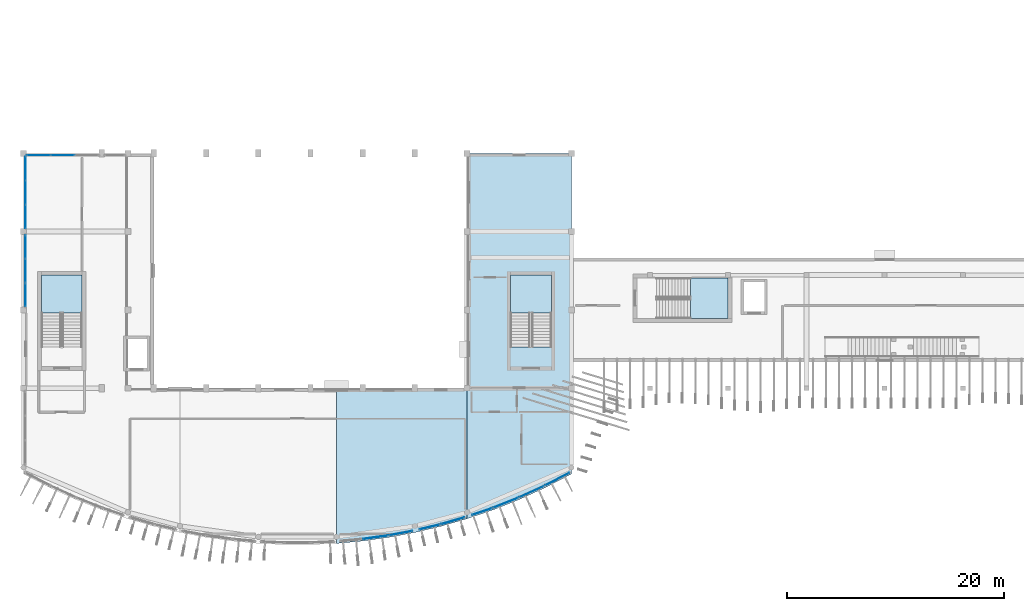
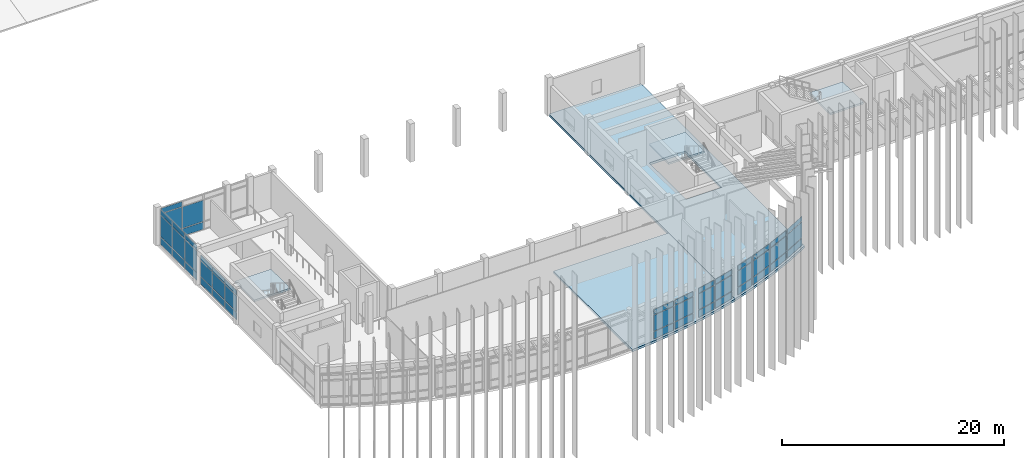
# One storey, part 25 of 47: 47 plates, 5 slabs, 14 elements without a shape of their own.
"""IFC4 building model written with IfcOpenShell, lengths in metres."""

from ifc_helpers import new_model, si_unit, direction, frame, origin, origin_2d, place, context, subcontext, project, spatial, polyline, rectangle, outline, extrude, material, layer, layer_set, type_object, element, aggregate, save


model = new_model("IFC4")

# Units and contexts
model_context = context("Model", 3, precision=1e-05, world=origin(), true_north=direction((0.0, 1.0)))
body_context = subcontext(model_context, "Body", "Model", "MODEL_VIEW")
ifc_project = project(units=[si_unit("LENGTHUNIT", "METRE"), si_unit("AREAUNIT", "SQUARE_METRE"), si_unit("VOLUMEUNIT", "CUBIC_METRE"), si_unit("PLANEANGLEUNIT", "RADIAN"), si_unit("MASSUNIT", "GRAM", prefix="KILO")], contexts=[model_context])

# Site, building, storey
site_placement = place(None, origin())
site = spatial("IfcSite", under=ifc_project, at=site_placement, CompositionType="ELEMENT")
building_placement = place(site_placement, origin())
building = spatial("IfcBuilding", under=site, at=building_placement, Name="Brisavento Harbour Community Centre", CompositionType="ELEMENT")
storey_placement = place(building_placement, frame((0.0, 0.0, 8.699951171875)))
storey = spatial("IfcBuildingStorey", under=building, at=storey_placement, Name="L02", CompositionType="ELEMENT", Elevation=8.699951171875)

# Curtain wall, plates
ifc_material_1 = material(Name="Marine-anodised aluminium AW-6063-T6", Category="aluminium")
ifc_layer_1 = layer(ifc_material_1, 0.179931640625, Name="Marine-anodised aluminium AW-6063-T6")
ifc_layer_set_1 = layer_set([ifc_layer_1], Name="Marine-anodised aluminium AW-6063-T6")
curtain_wall_type_1 = type_object("IfcCurtainWallType", Name="CW-SYS-22", PredefinedType="USERDEFINED", material=ifc_layer_set_1)
curtain_wall_1_placement = place(storey_placement, origin())
curtain_wall_1 = element("IfcCurtainWall", 1, at=curtain_wall_1_placement, inside=storey, type_object=curtain_wall_type_1, Name="L02 V1 unitised curtain wall 106", ObjectType="UNITISED CURTAIN WALL", PredefinedType="USERDEFINED")
ifc_material_2 = material(Name="Solar-control laminated low-E glass", Category="glass")
ifc_layer_2 = layer(ifc_material_2, 0.02392578125, Name="Solar-control laminated low-E glass")
ifc_layer_set_2 = layer_set([ifc_layer_2], Name="Solar-control laminated low-E glass")
plate_type_1 = type_object("IfcPlateType", Name="CWP-GLZ-1", PredefinedType="CURTAIN_PANEL", material=ifc_layer_set_2)
plate_1_placement = place(storey_placement, frame((34.694091796875, 1.07177734375, 0.070068359375), z_axis=(0.0, 0.0, 1.0), x_axis=(-0.982796895513, -0.184689637418, 0.0)))
plate_1 = element("IfcPlate", 2, at=plate_1_placement, type_object=plate_type_1, Name="CW-22 panel 1.1", PredefinedType="CURTAIN_PANEL", context=body_context, shape_type="SweptSolid", body=[
    extrude(rectangle(XDim=2.117919921875, YDim=0.02392578125, at=origin_2d()), origin(), (0.0, 0.0, 1.0), 0.794921875),
])
plate_2_placement = place(storey_placement, frame((34.694091796875, 1.07177734375, 0.93505859375), z_axis=(0.0, 0.0, 1.0), x_axis=(-0.982796895513, -0.184689637418, 0.0)))
plate_2 = element("IfcPlate", 3, at=plate_2_placement, type_object=plate_type_1, Name="CW-22 panel 1.2", PredefinedType="CURTAIN_PANEL", context=body_context, shape_type="SweptSolid", body=[
    extrude(rectangle(XDim=2.117919921875, YDim=0.02392578125, at=origin_2d()), origin(), (0.0, 0.0, 1.0), 1.739990234375),
])
plate_3_placement = place(storey_placement, frame((34.694091796875, 1.07177734375, 2.7451171875), z_axis=(0.0, 0.0, 1.0), x_axis=(-0.982796895513, -0.184689637418, 0.0)))
plate_3 = element("IfcPlate", 4, at=plate_3_placement, type_object=plate_type_1, Name="CW-22 panel 1.3", PredefinedType="CURTAIN_PANEL", context=body_context, shape_type="SweptSolid", body=[
    extrude(rectangle(XDim=2.117919921875, YDim=0.02392578125, at=origin_2d()), origin(), (0.0, 0.0, 1.0), 0.544921875),
])
aggregate(curtain_wall_1, [plate_1, plate_2, plate_3])

ifc_layer_3 = layer(ifc_material_1, 0.179931640625, Name="Marine-anodised aluminium AW-6063-T6")
ifc_layer_set_3 = layer_set([ifc_layer_3], Name="Marine-anodised aluminium AW-6063-T6")
curtain_wall_type_2 = type_object("IfcCurtainWallType", Name="CW-SYS-27", PredefinedType="USERDEFINED", material=ifc_layer_set_3)
curtain_wall_2_placement = place(storey_placement, origin())
curtain_wall_2 = element("IfcCurtainWall", 5, at=curtain_wall_2_placement, inside=storey, type_object=curtain_wall_type_2, Name="L02 V1 unitised curtain wall 111", ObjectType="UNITISED CURTAIN WALL", PredefinedType="USERDEFINED")
plate_4_placement = place(storey_placement, frame((46.72509765625, 4.880615234375, 0.074951171875), z_axis=(0.0, 0.0, 1.0), x_axis=(-0.909597727846, -0.415490040189, 0.0)))
plate_4 = element("IfcPlate", 6, at=plate_4_placement, type_object=plate_type_1, Name="CW-27 panel 1.1", PredefinedType="CURTAIN_PANEL", context=body_context, shape_type="SweptSolid", body=[
    extrude(rectangle(XDim=2.452392578125, YDim=0.02392578125, at=origin_2d()), origin(), (0.0, 0.0, 1.0), 0.78759765625),
])
plate_5_placement = place(storey_placement, frame((46.72509765625, 4.880615234375, 0.9375), z_axis=(0.0, 0.0, 1.0), x_axis=(-0.909597727846, -0.415490040189, 0.0)))
plate_5 = element("IfcPlate", 7, at=plate_5_placement, type_object=plate_type_1, Name="CW-27 panel 1.2", PredefinedType="CURTAIN_PANEL", context=body_context, shape_type="SweptSolid", body=[
    extrude(rectangle(XDim=2.452392578125, YDim=0.02392578125, at=origin_2d()), origin(), (0.0, 0.0, 1.0), 1.735107421875),
])
plate_6_placement = place(storey_placement, frame((46.72509765625, 4.880615234375, 2.74755859375), z_axis=(0.0, 0.0, 1.0), x_axis=(-0.909597727846, -0.415490040189, 0.0)))
plate_6 = element("IfcPlate", 8, at=plate_6_placement, type_object=plate_type_1, Name="CW-27 panel 1.3", PredefinedType="CURTAIN_PANEL", context=body_context, shape_type="SweptSolid", body=[
    extrude(rectangle(XDim=2.452392578125, YDim=0.02392578125, at=origin_2d()), origin(), (0.0, 0.0, 1.0), 0.53759765625),
])
aggregate(curtain_wall_2, [plate_4, plate_5, plate_6])

ifc_layer_4 = layer(ifc_material_1, 0.179931640625, Name="Marine-anodised aluminium AW-6063-T6")
ifc_layer_set_4 = layer_set([ifc_layer_4], Name="Marine-anodised aluminium AW-6063-T6")
curtain_wall_type_3 = type_object("IfcCurtainWallType", Name="CW-SYS-04", PredefinedType="USERDEFINED", material=ifc_layer_set_4)
curtain_wall_3_placement = place(storey_placement, origin())
curtain_wall_3 = element("IfcCurtainWall", 9, at=curtain_wall_3_placement, inside=storey, type_object=curtain_wall_type_3, Name="L02 V1 unitised curtain wall 116", ObjectType="UNITISED CURTAIN WALL", PredefinedType="USERDEFINED")
plate_7_placement = place(storey_placement, frame((0.179931640625, 22.993408203125, 0.080078125), z_axis=(0.0, 0.0, 1.0), x_axis=(0.0, 1.0, 0.0)))
plate_7 = element("IfcPlate", 10, at=plate_7_placement, type_object=plate_type_1, Name="CW-04 panel 1.1", PredefinedType="CURTAIN_PANEL", context=body_context, shape_type="SweptSolid", body=[
    extrude(rectangle(XDim=2.106689453125, YDim=0.02392578125, at=origin_2d()), origin(), (0.0, 0.0, 1.0), 0.780029296875),
])
plate_8_placement = place(storey_placement, frame((0.179931640625, 22.993408203125, 0.93994140625), z_axis=(0.0, 0.0, 1.0), x_axis=(0.0, 1.0, 0.0)))
plate_8 = element("IfcPlate", 11, at=plate_8_placement, type_object=plate_type_1, Name="CW-04 panel 1.2", PredefinedType="CURTAIN_PANEL", context=body_context, shape_type="SweptSolid", body=[
    extrude(rectangle(XDim=2.106689453125, YDim=0.02392578125, at=origin_2d()), origin(), (0.0, 0.0, 1.0), 1.72998046875),
])
plate_9_placement = place(storey_placement, frame((0.179931640625, 22.993408203125, 2.75), z_axis=(0.0, 0.0, 1.0), x_axis=(0.0, 1.0, 0.0)))
plate_9 = element("IfcPlate", 12, at=plate_9_placement, type_object=plate_type_1, Name="CW-04 panel 1.3", PredefinedType="CURTAIN_PANEL", context=body_context, shape_type="SweptSolid", body=[
    extrude(rectangle(XDim=2.106689453125, YDim=0.02392578125, at=origin_2d()), origin(), (0.0, 0.0, 1.0), 0.530029296875),
])
plate_10_placement = place(storey_placement, frame((0.179931640625, 25.199951171875, 0.080078125), z_axis=(0.0, 0.0, 1.0), x_axis=(0.0, 1.0, 0.0)))
plate_10 = element("IfcPlate", 13, at=plate_10_placement, type_object=plate_type_1, Name="CW-04 panel 2.1", PredefinedType="CURTAIN_PANEL", context=body_context, shape_type="SweptSolid", body=[
    extrude(rectangle(XDim=2.146728515625, YDim=0.02392578125, at=origin_2d()), origin(), (0.0, 0.0, 1.0), 0.780029296875),
])
plate_11_placement = place(storey_placement, frame((0.179931640625, 25.199951171875, 0.93994140625), z_axis=(0.0, 0.0, 1.0), x_axis=(0.0, 1.0, 0.0)))
plate_11 = element("IfcPlate", 14, at=plate_11_placement, type_object=plate_type_1, Name="CW-04 panel 2.2", PredefinedType="CURTAIN_PANEL", context=body_context, shape_type="SweptSolid", body=[
    extrude(rectangle(XDim=2.146728515625, YDim=0.02392578125, at=origin_2d()), origin(), (0.0, 0.0, 1.0), 1.72998046875),
])
plate_12_placement = place(storey_placement, frame((0.179931640625, 25.199951171875, 2.75), z_axis=(0.0, 0.0, 1.0), x_axis=(0.0, 1.0, 0.0)))
plate_12 = element("IfcPlate", 15, at=plate_12_placement, type_object=plate_type_1, Name="CW-04 panel 2.3", PredefinedType="CURTAIN_PANEL", context=body_context, shape_type="SweptSolid", body=[
    extrude(rectangle(XDim=2.146728515625, YDim=0.02392578125, at=origin_2d()), origin(), (0.0, 0.0, 1.0), 0.530029296875),
])
plate_13_placement = place(storey_placement, frame((0.179931640625, 27.40673828125, 0.080078125), z_axis=(0.0, 0.0, 1.0), x_axis=(0.0, 1.0, 0.0)))
plate_13 = element("IfcPlate", 16, at=plate_13_placement, type_object=plate_type_1, Name="CW-04 panel 3.1", PredefinedType="CURTAIN_PANEL", context=body_context, shape_type="SweptSolid", body=[
    extrude(rectangle(XDim=2.106689453125, YDim=0.02392578125, at=origin_2d()), origin(), (0.0, 0.0, 1.0), 0.780029296875),
])
plate_14_placement = place(storey_placement, frame((0.179931640625, 27.40673828125, 0.93994140625), z_axis=(0.0, 0.0, 1.0), x_axis=(0.0, 1.0, 0.0)))
plate_14 = element("IfcPlate", 17, at=plate_14_placement, type_object=plate_type_1, Name="CW-04 panel 3.2", PredefinedType="CURTAIN_PANEL", context=body_context, shape_type="SweptSolid", body=[
    extrude(rectangle(XDim=2.106689453125, YDim=0.02392578125, at=origin_2d()), origin(), (0.0, 0.0, 1.0), 1.72998046875),
])
plate_15_placement = place(storey_placement, frame((0.179931640625, 27.40673828125, 2.75), z_axis=(0.0, 0.0, 1.0), x_axis=(0.0, 1.0, 0.0)))
plate_15 = element("IfcPlate", 18, at=plate_15_placement, type_object=plate_type_1, Name="CW-04 panel 3.3", PredefinedType="CURTAIN_PANEL", context=body_context, shape_type="SweptSolid", body=[
    extrude(rectangle(XDim=2.106689453125, YDim=0.02392578125, at=origin_2d()), origin(), (0.0, 0.0, 1.0), 0.530029296875),
])
aggregate(curtain_wall_3, [plate_7, plate_8, plate_9, plate_10, plate_11, plate_12, plate_13, plate_14, plate_15])

ifc_layer_5 = layer(ifc_material_1, 0.179931640625, Name="Marine-anodised aluminium AW-6063-T6")
ifc_layer_set_5 = layer_set([ifc_layer_5], Name="Marine-anodised aluminium AW-6063-T6")
curtain_wall_type_4 = type_object("IfcCurtainWallType", Name="CW-SYS-23", PredefinedType="USERDEFINED", material=ifc_layer_set_5)
curtain_wall_4_placement = place(storey_placement, origin())
curtain_wall_4 = element("IfcCurtainWall", 19, at=curtain_wall_4_placement, inside=storey, type_object=curtain_wall_type_4, Name="L02 V1 unitised curtain wall 107", ObjectType="UNITISED CURTAIN WALL", PredefinedType="USERDEFINED")
ifc_layer_6 = layer(ifc_material_2, 0.028076171875, Name="Solar-control laminated low-E glass")
ifc_layer_set_6 = layer_set([ifc_layer_6], Name="Solar-control laminated low-E glass")
plate_type_2 = type_object("IfcPlateType", Name="CWP-GLZ-2", PredefinedType="CURTAIN_PANEL", material=ifc_layer_set_6)
plate_16_placement = place(storey_placement, frame((37.356201171875, 1.640625, 0.074951171875), z_axis=(0.0, 0.0, 1.0), x_axis=(-0.972998297489, -0.230812289714, 0.0)))
plate_16 = element("IfcPlate", 20, at=plate_16_placement, type_object=plate_type_2, Name="CW-23 panel 1.1", PredefinedType="CURTAIN_PANEL", context=body_context, shape_type="SweptSolid", body=[
    extrude(rectangle(XDim=1.874267578125, YDim=0.028076171875, at=origin_2d()), origin(), (0.0, 0.0, 1.0), 0.78759765625),
])
plate_17_placement = place(storey_placement, frame((37.356201171875, 1.640625, 0.9375), z_axis=(0.0, 0.0, 1.0), x_axis=(-0.972998297489, -0.230812289714, 0.0)))
plate_17 = element("IfcPlate", 21, at=plate_17_placement, type_object=plate_type_2, Name="CW-23 panel 1.2", PredefinedType="CURTAIN_PANEL", context=body_context, shape_type="SweptSolid", body=[
    extrude(rectangle(XDim=1.874267578125, YDim=0.028076171875, at=origin_2d()), origin(), (0.0, 0.0, 1.0), 1.735107421875),
])
plate_18_placement = place(storey_placement, frame((37.356201171875, 1.640625, 2.74755859375), z_axis=(0.0, 0.0, 1.0), x_axis=(-0.972998297489, -0.230812289714, 0.0)))
plate_18 = element("IfcPlate", 22, at=plate_18_placement, type_object=plate_type_2, Name="CW-23 panel 1.3", PredefinedType="CURTAIN_PANEL", context=body_context, shape_type="SweptSolid", body=[
    extrude(rectangle(XDim=1.874267578125, YDim=0.028076171875, at=origin_2d()), origin(), (0.0, 0.0, 1.0), 0.53759765625),
])
aggregate(curtain_wall_4, [plate_16, plate_17, plate_18])

ifc_layer_7 = layer(ifc_material_1, 0.179931640625, Name="Marine-anodised aluminium AW-6063-T6")
ifc_layer_set_7 = layer_set([ifc_layer_7], Name="Marine-anodised aluminium AW-6063-T6")
curtain_wall_type_5 = type_object("IfcCurtainWallType", Name="CW-SYS-28", PredefinedType="USERDEFINED", material=ifc_layer_set_7)
curtain_wall_5_placement = place(storey_placement, origin())
curtain_wall_5 = element("IfcCurtainWall", 23, at=curtain_wall_5_placement, inside=storey, type_object=curtain_wall_type_5, Name="L02 V1 unitised curtain wall 112", ObjectType="UNITISED CURTAIN WALL", PredefinedType="USERDEFINED")
plate_19_placement = place(storey_placement, frame((49.104736328125, 6.04296875, 0.080078125), z_axis=(0.0, 0.0, 1.0), x_axis=(-0.887019684969, -0.461731608705, 0.0)))
plate_19 = element("IfcPlate", 24, at=plate_19_placement, type_object=plate_type_2, Name="CW-28 panel 1.1", PredefinedType="CURTAIN_PANEL", context=body_context, shape_type="SweptSolid", body=[
    extrude(rectangle(XDim=2.482421875, YDim=0.028076171875, at=origin_2d()), origin(), (0.0, 0.0, 1.0), 0.780029296875),
])
plate_20_placement = place(storey_placement, frame((49.104736328125, 6.04296875, 0.93994140625), z_axis=(0.0, 0.0, 1.0), x_axis=(-0.887019684969, -0.461731608705, 0.0)))
plate_20 = element("IfcPlate", 25, at=plate_20_placement, type_object=plate_type_2, Name="CW-28 panel 1.2", PredefinedType="CURTAIN_PANEL", context=body_context, shape_type="SweptSolid", body=[
    extrude(rectangle(XDim=2.482421875, YDim=0.028076171875, at=origin_2d()), origin(), (0.0, 0.0, 1.0), 1.72998046875),
])
plate_21_placement = place(storey_placement, frame((49.104736328125, 6.04296875, 2.75), z_axis=(0.0, 0.0, 1.0), x_axis=(-0.887019684969, -0.461731608705, 0.0)))
plate_21 = element("IfcPlate", 26, at=plate_21_placement, type_object=plate_type_2, Name="CW-28 panel 1.3", PredefinedType="CURTAIN_PANEL", context=body_context, shape_type="SweptSolid", body=[
    extrude(rectangle(XDim=2.482421875, YDim=0.028076171875, at=origin_2d()), origin(), (0.0, 0.0, 1.0), 0.530029296875),
])
aggregate(curtain_wall_5, [plate_19, plate_20, plate_21])

ifc_layer_8 = layer(ifc_material_1, 0.179931640625, Name="Marine-anodised aluminium AW-6063-T6")
ifc_layer_set_8 = layer_set([ifc_layer_8], Name="Marine-anodised aluminium AW-6063-T6")
curtain_wall_type_6 = type_object("IfcCurtainWallType", Name="CW-SYS-05", PredefinedType="USERDEFINED", material=ifc_layer_set_8)
curtain_wall_6_placement = place(storey_placement, origin())
curtain_wall_6 = element("IfcCurtainWall", 27, at=curtain_wall_6_placement, inside=storey, type_object=curtain_wall_type_6, Name="L02 V1 unitised curtain wall 117", ObjectType="UNITISED CURTAIN WALL", PredefinedType="USERDEFINED")
plate_22_placement = place(storey_placement, frame((0.179931640625, 30.189697265625, 0.06494140625), z_axis=(0.0, 0.0, 1.0), x_axis=(0.0, 1.0, 0.0)))
plate_22 = element("IfcPlate", 28, at=plate_22_placement, type_object=plate_type_2, Name="CW-05 panel 1.1", PredefinedType="CURTAIN_PANEL", context=body_context, shape_type="SweptSolid", body=[
    extrude(rectangle(XDim=2.129150390625, YDim=0.028076171875, at=origin_2d()), origin(), (0.0, 0.0, 1.0), 0.802490234375),
])
plate_23_placement = place(storey_placement, frame((0.179931640625, 30.189697265625, 0.9326171875), z_axis=(0.0, 0.0, 1.0), x_axis=(0.0, 1.0, 0.0)))
plate_23 = element("IfcPlate", 29, at=plate_23_placement, type_object=plate_type_2, Name="CW-05 panel 1.2", PredefinedType="CURTAIN_PANEL", context=body_context, shape_type="SweptSolid", body=[
    extrude(rectangle(XDim=2.129150390625, YDim=0.028076171875, at=origin_2d()), origin(), (0.0, 0.0, 1.0), 2.344970703125),
])
plate_24_placement = place(storey_placement, frame((0.179931640625, 30.189697265625, 3.3427734375), z_axis=(0.0, 0.0, 1.0), x_axis=(0.0, 1.0, 0.0)))
plate_24 = element("IfcPlate", 30, at=plate_24_placement, type_object=plate_type_2, Name="CW-05 panel 1.3", PredefinedType="CURTAIN_PANEL", context=body_context, shape_type="SweptSolid", body=[
    extrude(rectangle(XDim=2.129150390625, YDim=0.028076171875, at=origin_2d()), origin(), (0.0, 0.0, 1.0), 0.552490234375),
])
plate_25_placement = place(storey_placement, frame((0.179931640625, 32.39990234375, 0.06494140625), z_axis=(0.0, 0.0, 1.0), x_axis=(0.0, 1.0, 0.0)))
plate_25 = element("IfcPlate", 31, at=plate_25_placement, type_object=plate_type_2, Name="CW-05 panel 2.1", PredefinedType="CURTAIN_PANEL", context=body_context, shape_type="SweptSolid", body=[
    extrude(rectangle(XDim=2.16162109375, YDim=0.028076171875, at=origin_2d()), origin(), (0.0, 0.0, 1.0), 0.802490234375),
])
plate_26_placement = place(storey_placement, frame((0.179931640625, 32.39990234375, 0.9326171875), z_axis=(0.0, 0.0, 1.0), x_axis=(0.0, 1.0, 0.0)))
plate_26 = element("IfcPlate", 32, at=plate_26_placement, type_object=plate_type_2, Name="CW-05 panel 2.2", PredefinedType="CURTAIN_PANEL", context=body_context, shape_type="SweptSolid", body=[
    extrude(rectangle(XDim=2.16162109375, YDim=0.028076171875, at=origin_2d()), origin(), (0.0, 0.0, 1.0), 2.344970703125),
])
plate_27_placement = place(storey_placement, frame((0.179931640625, 32.39990234375, 3.3427734375), z_axis=(0.0, 0.0, 1.0), x_axis=(0.0, 1.0, 0.0)))
plate_27 = element("IfcPlate", 33, at=plate_27_placement, type_object=plate_type_2, Name="CW-05 panel 2.3", PredefinedType="CURTAIN_PANEL", context=body_context, shape_type="SweptSolid", body=[
    extrude(rectangle(XDim=2.16162109375, YDim=0.028076171875, at=origin_2d()), origin(), (0.0, 0.0, 1.0), 0.552490234375),
])
plate_28_placement = place(storey_placement, frame((0.179931640625, 34.6103515625, 0.06494140625), z_axis=(0.0, 0.0, 1.0), x_axis=(0.0, 1.0, 0.0)))
plate_28 = element("IfcPlate", 34, at=plate_28_placement, type_object=plate_type_2, Name="CW-05 panel 3.1", PredefinedType="CURTAIN_PANEL", context=body_context, shape_type="SweptSolid", body=[
    extrude(rectangle(XDim=2.129150390625, YDim=0.028076171875, at=origin_2d()), origin(), (0.0, 0.0, 1.0), 0.802490234375),
])
plate_29_placement = place(storey_placement, frame((0.179931640625, 34.6103515625, 0.9326171875), z_axis=(0.0, 0.0, 1.0), x_axis=(0.0, 1.0, 0.0)))
plate_29 = element("IfcPlate", 35, at=plate_29_placement, type_object=plate_type_2, Name="CW-05 panel 3.2", PredefinedType="CURTAIN_PANEL", context=body_context, shape_type="SweptSolid", body=[
    extrude(rectangle(XDim=2.129150390625, YDim=0.028076171875, at=origin_2d()), origin(), (0.0, 0.0, 1.0), 2.344970703125),
])
plate_30_placement = place(storey_placement, frame((0.179931640625, 34.6103515625, 3.3427734375), z_axis=(0.0, 0.0, 1.0), x_axis=(0.0, 1.0, 0.0)))
plate_30 = element("IfcPlate", 36, at=plate_30_placement, type_object=plate_type_2, Name="CW-05 panel 3.3", PredefinedType="CURTAIN_PANEL", context=body_context, shape_type="SweptSolid", body=[
    extrude(rectangle(XDim=2.129150390625, YDim=0.028076171875, at=origin_2d()), origin(), (0.0, 0.0, 1.0), 0.552490234375),
])
aggregate(curtain_wall_6, [plate_22, plate_23, plate_24, plate_25, plate_26, plate_27, plate_28, plate_29, plate_30])

ifc_layer_9 = layer(ifc_material_1, 0.179931640625, Name="Marine-anodised aluminium AW-6063-T6")
ifc_layer_set_9 = layer_set([ifc_layer_9], Name="Marine-anodised aluminium AW-6063-T6")
curtain_wall_type_7 = type_object("IfcCurtainWallType", Name="CW-SYS-24", PredefinedType="USERDEFINED", material=ifc_layer_set_9)
curtain_wall_7_placement = place(storey_placement, origin())
curtain_wall_7 = element("IfcCurtainWall", 37, at=curtain_wall_7_placement, inside=storey, type_object=curtain_wall_type_7, Name="L02 V1 unitised curtain wall 108", ObjectType="UNITISED CURTAIN WALL", PredefinedType="USERDEFINED")
ifc_layer_10 = layer(ifc_material_2, 0.031982421875, Name="Solar-control laminated low-E glass")
ifc_layer_set_10 = layer_set([ifc_layer_10], Name="Solar-control laminated low-E glass")
plate_type_3 = type_object("IfcPlateType", Name="CWP-GLZ-3", PredefinedType="CURTAIN_PANEL", material=ifc_layer_set_10)
plate_31_placement = place(storey_placement, frame((39.4970703125, 2.206787109375, 0.080078125), z_axis=(0.0, 0.0, 1.0), x_axis=(-0.960866482785, -0.277011917183, 0.0)))
plate_31 = element("IfcPlate", 38, at=plate_31_placement, type_object=plate_type_3, Name="CW-24 panel 1.1", PredefinedType="CURTAIN_PANEL", context=body_context, shape_type="SweptSolid", body=[
    extrude(rectangle(XDim=2.19140625, YDim=0.031982421875, at=origin_2d()), origin(), (0.0, 0.0, 1.0), 0.780029296875),
])
plate_32_placement = place(storey_placement, frame((39.4970703125, 2.206787109375, 0.93994140625), z_axis=(0.0, 0.0, 1.0), x_axis=(-0.960866482785, -0.277011917183, 0.0)))
plate_32 = element("IfcPlate", 39, at=plate_32_placement, type_object=plate_type_3, Name="CW-24 panel 1.2", PredefinedType="CURTAIN_PANEL", context=body_context, shape_type="SweptSolid", body=[
    extrude(rectangle(XDim=2.19140625, YDim=0.031982421875, at=origin_2d()), origin(), (0.0, 0.0, 1.0), 1.72998046875),
])
plate_33_placement = place(storey_placement, frame((39.4970703125, 2.206787109375, 2.75), z_axis=(0.0, 0.0, 1.0), x_axis=(-0.960866482785, -0.277011917183, 0.0)))
plate_33 = element("IfcPlate", 40, at=plate_33_placement, type_object=plate_type_3, Name="CW-24 panel 1.3", PredefinedType="CURTAIN_PANEL", context=body_context, shape_type="SweptSolid", body=[
    extrude(rectangle(XDim=2.19140625, YDim=0.031982421875, at=origin_2d()), origin(), (0.0, 0.0, 1.0), 0.530029296875),
])
aggregate(curtain_wall_7, [plate_31, plate_32, plate_33])

ifc_layer_11 = layer(ifc_material_1, 0.179931640625, Name="Marine-anodised aluminium AW-6063-T6")
ifc_layer_set_11 = layer_set([ifc_layer_11], Name="Marine-anodised aluminium AW-6063-T6")
curtain_wall_type_8 = type_object("IfcCurtainWallType", Name="CW-SYS-01", PredefinedType="USERDEFINED", material=ifc_layer_set_11)
curtain_wall_8_placement = place(storey_placement, origin())
curtain_wall_8 = element("IfcCurtainWall", 41, at=curtain_wall_8_placement, inside=storey, type_object=curtain_wall_type_8, Name="L02 V1 unitised curtain wall 113", ObjectType="UNITISED CURTAIN WALL", PredefinedType="USERDEFINED")
plate_34_placement = place(storey_placement, frame((1.393798828125, 35.820068359375, 0.06494140625), z_axis=(0.0, 0.0, 1.0), x_axis=(1.0, 0.0, 0.0)))
plate_34 = element("IfcPlate", 42, at=plate_34_placement, type_object=plate_type_3, Name="CW-01 panel 1.1", PredefinedType="CURTAIN_PANEL", context=body_context, shape_type="SweptSolid", body=[
    extrude(rectangle(XDim=2.137451171875, YDim=0.031982421875, at=origin_2d()), origin(), (0.0, 0.0, 1.0), 0.802490234375),
])
plate_35_placement = place(storey_placement, frame((1.393798828125, 35.820068359375, 0.9326171875), z_axis=(0.0, 0.0, 1.0), x_axis=(1.0, 0.0, 0.0)))
plate_35 = element("IfcPlate", 43, at=plate_35_placement, type_object=plate_type_3, Name="CW-01 panel 1.2", PredefinedType="CURTAIN_PANEL", context=body_context, shape_type="SweptSolid", body=[
    extrude(rectangle(XDim=2.137451171875, YDim=0.031982421875, at=origin_2d()), origin(), (0.0, 0.0, 1.0), 2.344970703125),
])
plate_36_placement = place(storey_placement, frame((1.393798828125, 35.820068359375, 3.3427734375), z_axis=(0.0, 0.0, 1.0), x_axis=(1.0, 0.0, 0.0)))
plate_36 = element("IfcPlate", 44, at=plate_36_placement, type_object=plate_type_3, Name="CW-01 panel 1.3", PredefinedType="CURTAIN_PANEL", context=body_context, shape_type="SweptSolid", body=[
    extrude(rectangle(XDim=2.137451171875, YDim=0.031982421875, at=origin_2d()), origin(), (0.0, 0.0, 1.0), 0.552490234375),
])
plate_37_placement = place(storey_placement, frame((3.612548828125, 35.820068359375, 0.06494140625), z_axis=(0.0, 0.0, 1.0), x_axis=(1.0, 0.0, 0.0)))
plate_37 = element("IfcPlate", 45, at=plate_37_placement, type_object=plate_type_3, Name="CW-01 panel 2.1", PredefinedType="CURTAIN_PANEL", context=body_context, shape_type="SweptSolid", body=[
    extrude(rectangle(XDim=2.169921875, YDim=0.031982421875, at=origin_2d()), origin(), (0.0, 0.0, 1.0), 0.802490234375),
])
plate_38_placement = place(storey_placement, frame((3.612548828125, 35.820068359375, 0.9326171875), z_axis=(0.0, 0.0, 1.0), x_axis=(1.0, 0.0, 0.0)))
plate_38 = element("IfcPlate", 46, at=plate_38_placement, type_object=plate_type_3, Name="CW-01 panel 2.2", PredefinedType="CURTAIN_PANEL", context=body_context, shape_type="SweptSolid", body=[
    extrude(rectangle(XDim=2.169921875, YDim=0.031982421875, at=origin_2d()), origin(), (0.0, 0.0, 1.0), 2.344970703125),
])
aggregate(curtain_wall_8, [plate_34, plate_35, plate_36, plate_37, plate_38])

ifc_layer_12 = layer(ifc_material_1, 0.179931640625, Name="Marine-anodised aluminium AW-6063-T6")
ifc_layer_set_12 = layer_set([ifc_layer_12], Name="Marine-anodised aluminium AW-6063-T6")
curtain_wall_type_9 = type_object("IfcCurtainWallType", Name="CW-SYS-25", PredefinedType="USERDEFINED", material=ifc_layer_set_12)
curtain_wall_9_placement = place(storey_placement, origin())
curtain_wall_9 = element("IfcCurtainWall", 47, at=curtain_wall_9_placement, inside=storey, type_object=curtain_wall_type_9, Name="L02 V1 unitised curtain wall 109", ObjectType="UNITISED CURTAIN WALL", PredefinedType="USERDEFINED")
ifc_layer_13 = layer(ifc_material_2, 0.035888671875, Name="Solar-control laminated low-E glass")
ifc_layer_set_13 = layer_set([ifc_layer_13], Name="Solar-control laminated low-E glass")
plate_type_4 = type_object("IfcPlateType", Name="CWP-GLZ-4", PredefinedType="CURTAIN_PANEL", material=ifc_layer_set_13)
plate_39_placement = place(storey_placement, frame((42.168212890625, 3.052490234375, 0.06494140625), z_axis=(0.0, 0.0, 1.0), x_axis=(-0.946338050136, -0.323178425743, 0.0)))
plate_39 = element("IfcPlate", 48, at=plate_39_placement, type_object=plate_type_4, Name="CW-25 panel 1.1", PredefinedType="CURTAIN_PANEL", context=body_context, shape_type="SweptSolid", body=[
    extrude(rectangle(XDim=1.891845703125, YDim=0.035888671875, at=origin_2d()), origin(), (0.0, 0.0, 1.0), 0.802490234375),
])
plate_40_placement = place(storey_placement, frame((42.168212890625, 3.052490234375, 0.932373046875), z_axis=(0.0, 0.0, 1.0), x_axis=(-0.946338050136, -0.323178425743, 0.0)))
plate_40 = element("IfcPlate", 49, at=plate_40_placement, type_object=plate_type_4, Name="CW-25 panel 1.2", PredefinedType="CURTAIN_PANEL", context=body_context, shape_type="SweptSolid", body=[
    extrude(rectangle(XDim=1.891845703125, YDim=0.035888671875, at=origin_2d()), origin(), (0.0, 0.0, 1.0), 1.7451171875),
])
plate_41_placement = place(storey_placement, frame((42.168212890625, 3.052490234375, 2.74267578125), z_axis=(0.0, 0.0, 1.0), x_axis=(-0.946338050136, -0.323178425743, 0.0)))
plate_41 = element("IfcPlate", 50, at=plate_41_placement, type_object=plate_type_4, Name="CW-25 panel 1.3", PredefinedType="CURTAIN_PANEL", context=body_context, shape_type="SweptSolid", body=[
    extrude(rectangle(XDim=1.891845703125, YDim=0.035888671875, at=origin_2d()), origin(), (0.0, 0.0, 1.0), 0.552490234375),
])
aggregate(curtain_wall_9, [plate_39, plate_40, plate_41])

ifc_layer_14 = layer(ifc_material_1, 0.179931640625, Name="Marine-anodised aluminium AW-6063-T6")
ifc_layer_set_14 = layer_set([ifc_layer_14], Name="Marine-anodised aluminium AW-6063-T6")
curtain_wall_type_10 = type_object("IfcCurtainWallType", Name="CW-SYS-21", PredefinedType="USERDEFINED", material=ifc_layer_set_14)
curtain_wall_10_placement = place(storey_placement, origin())
curtain_wall_10 = element("IfcCurtainWall", 51, at=curtain_wall_10_placement, inside=storey, type_object=curtain_wall_type_10, Name="L02 V1 unitised curtain wall 105", ObjectType="UNITISED CURTAIN WALL", PredefinedType="USERDEFINED")
ifc_layer_15 = layer(ifc_material_2, 0.0400390625, Name="Solar-control laminated low-E glass")
ifc_layer_set_15 = layer_set([ifc_layer_15], Name="Solar-control laminated low-E glass")
plate_type_5 = type_object("IfcPlateType", Name="CWP-GLZ-5", PredefinedType="CURTAIN_PANEL", material=ifc_layer_set_15)
plate_42_placement = place(storey_placement, frame((32.375, 0.693359375, 0.06494140625), z_axis=(0.0, 0.0, 1.0), x_axis=(-0.990365657711, -0.138476944024, 0.0)))
plate_42 = element("IfcPlate", 52, at=plate_42_placement, type_object=plate_type_5, Name="CW-21 panel 1.1", PredefinedType="CURTAIN_PANEL", context=body_context, shape_type="SweptSolid", body=[
    extrude(rectangle(XDim=2.25732421875, YDim=0.0400390625, at=origin_2d()), origin(), (0.0, 0.0, 1.0), 0.802490234375),
])
plate_43_placement = place(storey_placement, frame((32.375, 0.693359375, 0.932373046875), z_axis=(0.0, 0.0, 1.0), x_axis=(-0.990365657711, -0.138476944024, 0.0)))
plate_43 = element("IfcPlate", 53, at=plate_43_placement, type_object=plate_type_5, Name="CW-21 panel 1.2", PredefinedType="CURTAIN_PANEL", context=body_context, shape_type="SweptSolid", body=[
    extrude(rectangle(XDim=2.25732421875, YDim=0.0400390625, at=origin_2d()), origin(), (0.0, 0.0, 1.0), 1.7451171875),
])
plate_44_placement = place(storey_placement, frame((32.375, 0.693359375, 2.74267578125), z_axis=(0.0, 0.0, 1.0), x_axis=(-0.990365657711, -0.138476944024, 0.0)))
plate_44 = element("IfcPlate", 54, at=plate_44_placement, type_object=plate_type_5, Name="CW-21 panel 1.3", PredefinedType="CURTAIN_PANEL", context=body_context, shape_type="SweptSolid", body=[
    extrude(rectangle(XDim=2.25732421875, YDim=0.0400390625, at=origin_2d()), origin(), (0.0, 0.0, 1.0), 0.552490234375),
])
aggregate(curtain_wall_10, [plate_42, plate_43, plate_44])

ifc_layer_16 = layer(ifc_material_1, 0.179931640625, Name="Marine-anodised aluminium AW-6063-T6")
ifc_layer_set_16 = layer_set([ifc_layer_16], Name="Marine-anodised aluminium AW-6063-T6")
curtain_wall_type_11 = type_object("IfcCurtainWallType", Name="CW-SYS-26", PredefinedType="USERDEFINED", material=ifc_layer_set_16)
curtain_wall_11_placement = place(storey_placement, origin())
curtain_wall_11 = element("IfcCurtainWall", 55, at=curtain_wall_11_placement, inside=storey, type_object=curtain_wall_type_11, Name="L02 V1 unitised curtain wall 110", ObjectType="UNITISED CURTAIN WALL", PredefinedType="USERDEFINED")
plate_45_placement = place(storey_placement, frame((44.33349609375, 3.85888671875, 0.070068359375), z_axis=(0.0, 0.0, 1.0), x_axis=(-0.929278798027, -0.369379094613, 0.0)))
plate_45 = element("IfcPlate", 56, at=plate_45_placement, type_object=plate_type_5, Name="CW-26 panel 1.1", PredefinedType="CURTAIN_PANEL", context=body_context, shape_type="SweptSolid", body=[
    extrude(rectangle(XDim=2.40673828125, YDim=0.0400390625, at=origin_2d()), origin(), (0.0, 0.0, 1.0), 0.794921875),
])
plate_46_placement = place(storey_placement, frame((44.33349609375, 3.85888671875, 0.93505859375), z_axis=(0.0, 0.0, 1.0), x_axis=(-0.929278798027, -0.369379094613, 0.0)))
plate_46 = element("IfcPlate", 57, at=plate_46_placement, type_object=plate_type_5, Name="CW-26 panel 1.2", PredefinedType="CURTAIN_PANEL", context=body_context, shape_type="SweptSolid", body=[
    extrude(rectangle(XDim=2.40673828125, YDim=0.0400390625, at=origin_2d()), origin(), (0.0, 0.0, 1.0), 1.739990234375),
])
plate_47_placement = place(storey_placement, frame((44.33349609375, 3.85888671875, 2.7451171875), z_axis=(0.0, 0.0, 1.0), x_axis=(-0.929278798027, -0.369379094613, 0.0)))
plate_47 = element("IfcPlate", 58, at=plate_47_placement, type_object=plate_type_5, Name="CW-26 panel 1.3", PredefinedType="CURTAIN_PANEL", context=body_context, shape_type="SweptSolid", body=[
    extrude(rectangle(XDim=2.40673828125, YDim=0.0400390625, at=origin_2d()), origin(), (0.0, 0.0, 1.0), 0.544921875),
])
aggregate(curtain_wall_11, [plate_45, plate_46, plate_47])

# Slabs
ifc_material_3 = material(Name="Concrete C35/45", Category="concrete")
ifc_layer_17 = layer(ifc_material_3, 0.25, Name="Concrete C35/45")
ifc_layer_set_17 = layer_set([ifc_layer_17], Name="Concrete C35/45")
slab_type_1 = type_object("IfcSlabType", Name="SLB-FLR-250", PredefinedType="FLOOR", material=ifc_layer_set_17)
slab_1_placement = place(storey_placement, frame((0.0, 0.0, -0.25)))
element("IfcSlab", 59, at=slab_1_placement, inside=storey, type_object=slab_type_1, Name="L02 V1 structural floor slab 033", PredefinedType="FLOOR", context=body_context, shape_type="SweptSolid", body=[
    extrude(outline(polyline([(28.800048828125, 14.39990234375), (28.800048828125, 0.124755859375), (31.199951171875, 0.347412109375), (33.60009765625, 0.682861328125), (36.0, 1.1337890625), (38.39990234375, 1.703369140625), (40.800048828125, 2.395263671875), (40.800048828125, 14.39990234375), (28.800048828125, 14.39990234375)])), origin(), (0.0, 0.0, 1.0), 0.25),
])
slab_2_placement = place(storey_placement, frame((0.0, 0.0, -0.25)))
element("IfcSlab", 60, at=slab_2_placement, inside=storey, type_object=slab_type_1, Name="L02 V1 structural floor slab 034", PredefinedType="FLOOR", context=body_context, shape_type="SweptSolid", body=[
    extrude(outline(polyline([(40.800048828125, 2.395263671875), (43.199951171875, 3.21484375), (45.60009765625, 4.168701171875), (48.0, 5.264892578125), (50.39990234375, 6.51416015625), (50.39990234375, 36.0), (40.800048828125, 36.0), (40.800048828125, 2.395263671875)]), holes=[polyline([(48.5419921875, 24.7919921875), (48.5419921875, 18.2080078125), (44.80810546875, 18.2080078125), (44.80810546875, 24.7919921875), (48.5419921875, 24.7919921875)])]), origin(), (0.0, 0.0, 1.0), 0.25),
])

# Stair, slab
stair_type = type_object("IfcStairType", Name="STR-DL-4200", PredefinedType="HALF_TURN_STAIR", material=ifc_material_3)
stair_1_placement = place(storey_placement, origin())
stair_1 = element("IfcStair", 61, at=stair_1_placement, inside=storey, type_object=stair_type, Name="L02 ST-01", PredefinedType="HALF_TURN_STAIR")
ifc_layer_18 = layer(ifc_material_3, 0.199951171875, Name="Concrete C35/45")
ifc_layer_set_18 = layer_set([ifc_layer_18], Name="Concrete C35/45")
slab_type_2 = type_object("IfcSlabType", Name="SLB-LND-200", PredefinedType="LANDING", material=ifc_layer_set_18)
slab_3_placement = place(storey_placement, frame((0.0, 0.0, 1.900146484375)))
slab_3 = element("IfcSlab", 62, at=slab_3_placement, type_object=slab_type_2, Name="ST-01 landing 1", PredefinedType="LANDING", context=body_context, shape_type="SweptSolid", body=[
    extrude(outline(polyline([(5.39990234375, 21.3349609375), (5.39990234375, 24.800048828125), (1.64990234375, 24.800048828125), (1.64990234375, 21.3349609375), (5.39990234375, 21.3349609375)])), origin(), (0.0, 0.0, 1.0), 0.199951171875),
])
aggregate(stair_1, [slab_3])

stair_2_placement = place(storey_placement, origin())
stair_2 = element("IfcStair", 63, at=stair_2_placement, inside=storey, type_object=stair_type, Name="L02 ST-02", PredefinedType="HALF_TURN_STAIR")
slab_4_placement = place(storey_placement, frame((0.0, 0.0, 1.900146484375)))
slab_4 = element("IfcSlab", 64, at=slab_4_placement, type_object=slab_type_2, Name="ST-02 landing 1", PredefinedType="LANDING", context=body_context, shape_type="SweptSolid", body=[
    extrude(outline(polyline([(48.550048828125, 21.3349609375), (48.550048828125, 24.800048828125), (44.800048828125, 24.800048828125), (44.800048828125, 21.3349609375), (48.550048828125, 21.3349609375)])), origin(), (0.0, 0.0, 1.0), 0.199951171875),
])
aggregate(stair_2, [slab_4])

stair_3_placement = place(storey_placement, origin())
stair_3 = element("IfcStair", 65, at=stair_3_placement, inside=storey, type_object=stair_type, Name="L02 ST-03", PredefinedType="HALF_TURN_STAIR")
slab_5_placement = place(storey_placement, frame((0.0, 0.0, 1.900146484375)))
slab_5 = element("IfcSlab", 66, at=slab_5_placement, type_object=slab_type_2, Name="ST-03 landing 1", PredefinedType="LANDING", context=body_context, shape_type="SweptSolid", body=[
    extrude(outline(polyline([(61.3349609375, 20.800048828125), (64.800048828125, 20.800048828125), (64.800048828125, 24.550048828125), (61.3349609375, 24.550048828125), (61.3349609375, 20.800048828125)])), origin(), (0.0, 0.0, 1.0), 0.199951171875),
])
aggregate(stair_3, [slab_5])

save(model, "model.ifc")
